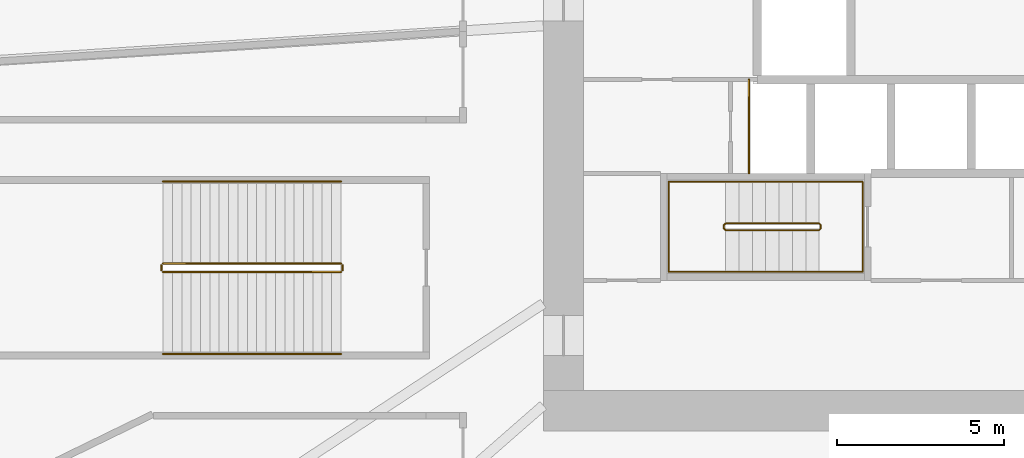
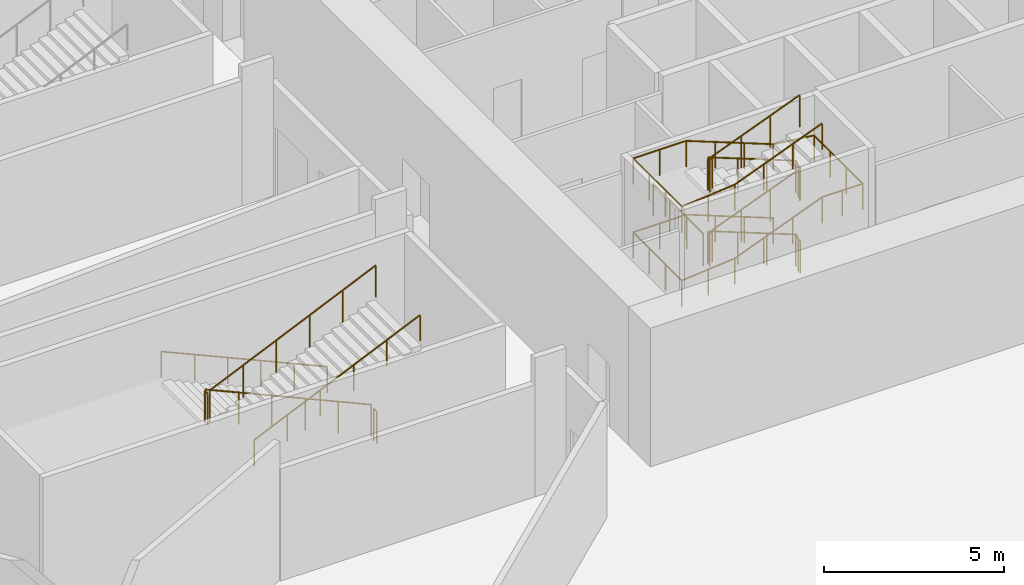
# One storey, part 13 of 16: 9 railings.
"""IFC4 building model written with IfcOpenShell, lengths in metres."""

from ifc_helpers import new_model, si_unit, direction, frame, origin, origin_2d, place, context, subcontext, project, spatial, circle, extrude, source, transform, mapped, material, type_object, element, save


model = new_model("IFC4")

# Units and contexts
model_context = context("Model", 3, precision=1e-05, world=origin(), true_north=direction((0.0, 1.0)))
body_context = subcontext(model_context, "Body", "Model", "MODEL_VIEW")
ifc_project = project(units=[si_unit("LENGTHUNIT", "METRE"), si_unit("AREAUNIT", "SQUARE_METRE"), si_unit("VOLUMEUNIT", "CUBIC_METRE"), si_unit("PLANEANGLEUNIT", "RADIAN"), si_unit("MASSUNIT", "GRAM", prefix="KILO")], contexts=[model_context])

# Site, building, storey
site_placement = place(None, origin())
site = spatial("IfcSite", under=ifc_project, at=site_placement, CompositionType="ELEMENT")
building_placement = place(site_placement, origin())
building = spatial("IfcBuilding", under=site, at=building_placement, Name="Embergate Tower", CompositionType="ELEMENT")
storey_placement = place(building_placement, frame((0.0, 0.0, 24.0)))
storey = spatial("IfcBuildingStorey", under=building, at=storey_placement, Name="L02", CompositionType="ELEMENT", Elevation=24.0)

# Railings
ifc_material_1 = material(Name="Stair guard 1100")
railing_type_1 = type_object("IfcRailingType", Name="Stair guard 1100", PredefinedType="GUARDRAIL", material=ifc_material_1)
shared_shape_1 = source(origin(), body_context, "Body", "SweptSolid", [
    extrude(circle(Radius=0.02392578125, at=origin_2d()), frame((0.0, 0.0, 1.076171875), z_axis=(0.0, 1.0, 0.0), x_axis=(-1.0, 0.0, 0.0)), (0.0, 0.0, 1.0), 0.099853515625),
    extrude(circle(Radius=0.02392578125, at=origin_2d()), frame((0.0, 0.099853515625, 1.076171875), z_axis=(-0.29177245553, 0.29177245553, 0.91089937336), x_axis=(-0.707106781187, -0.707106781187, 0.0)), (0.0, 0.0, 1.0), 0.171630859375),
    extrude(circle(Radius=0.02392578125, at=origin_2d()), frame((-0.050048828125, 0.14990234375, 1.232421875), z_axis=(-0.93145949984, 0.0, 0.363845022171), x_axis=(0.0, -1.0, 0.0)), (0.0, 0.0, 1.0), 3.006103515625),
    extrude(circle(Radius=0.02392578125, at=origin_2d()), frame((-2.85009765625, 0.14990234375, 2.326171875), z_axis=(-0.707106781187, -0.707106781187, 0.0), x_axis=(0.707106781187, -0.707106781187, 0.0)), (0.0, 0.0, 1.0), 0.07080078125),
    extrude(circle(Radius=0.02392578125, at=origin_2d()), frame((-2.900146484375, 0.099853515625, 2.326171875), z_axis=(0.0, -1.0, 0.0), x_axis=(1.0, 0.0, 0.0)), (0.0, 0.0, 1.0), 0.099853515625),
    extrude(circle(Radius=0.02392578125, at=origin_2d()), frame((-2.900146484375, 0.0, 2.326171875), z_axis=(0.29177245553, -0.29177245553, 0.91089937336), x_axis=(0.707106781187, 0.707106781187, 0.0)), (0.0, 0.0, 1.0), 0.171630859375),
    extrude(circle(Radius=0.02392578125, at=origin_2d()), frame((-2.85009765625, -0.050048828125, 2.482421875), z_axis=(0.93145949984, 0.0, 0.363845022171), x_axis=(0.0, 1.0, 0.0)), (0.0, 0.0, 1.0), 3.006103515625),
    extrude(circle(Radius=0.02392578125, at=origin_2d()), frame((-0.050048828125, -0.050048828125, 3.576171875), z_axis=(0.707106781187, 0.707106781187, 0.0), x_axis=(-0.707106781187, 0.707106781187, 0.0)), (0.0, 0.0, 1.0), 0.07080078125),
    extrude(circle(Radius=0.02392578125, at=origin_2d()), frame((0.0, 0.0, 3.576171875), z_axis=(0.0, 1.0, 0.0), x_axis=(-1.0, 0.0, 0.0)), (0.0, 0.0, 1.0), 0.099853515625),
    extrude(circle(Radius=0.02392578125, at=origin_2d()), frame((0.0, 0.099853515625, 3.576171875), z_axis=(-0.29177245553, 0.29177245553, 0.91089937336), x_axis=(-0.707106781187, -0.707106781187, 0.0)), (0.0, 0.0, 1.0), 0.171630859375),
    extrude(circle(Radius=0.02392578125, at=origin_2d()), frame((-0.050048828125, 0.14990234375, 3.732421875), z_axis=(-0.93145949984, 0.0, 0.363845022171), x_axis=(0.0, -1.0, 0.0)), (0.0, 0.0, 1.0), 3.006103515625),
    extrude(circle(Radius=0.02392578125, at=origin_2d()), frame((-2.85009765625, 0.14990234375, 4.826171875), z_axis=(-0.707106781187, -0.707106781187, 0.0), x_axis=(0.707106781187, -0.707106781187, 0.0)), (0.0, 0.0, 1.0), 0.07080078125),
    extrude(circle(Radius=0.02392578125, at=origin_2d()), frame((-2.900146484375, 0.099853515625, 4.826171875), z_axis=(0.0, -1.0, 0.0), x_axis=(1.0, 0.0, 0.0)), (0.0, 0.0, 1.0), 0.099853515625),
    extrude(circle(Radius=0.02392578125, at=origin_2d()), frame((-2.900146484375, 0.0, 4.826171875), z_axis=(0.29177245553, -0.29177245553, 0.91089937336), x_axis=(0.707106781187, 0.707106781187, 0.0)), (0.0, 0.0, 1.0), 0.171630859375),
    extrude(circle(Radius=0.02392578125, at=origin_2d()), frame((-2.85009765625, -0.050048828125, 4.982421875), z_axis=(0.93145949984, 0.0, 0.363845022171), x_axis=(0.0, 1.0, 0.0)), (0.0, 0.0, 1.0), 3.006103515625),
    extrude(circle(Radius=0.02099609375, at=origin_2d()), origin(), (0.0, 0.0, 1.0), 1.052001953125),
    extrude(circle(Radius=0.02099609375, at=origin_2d()), frame((0.0, 0.099853515625, 0.0)), (0.0, 0.0, 1.0), 1.052001953125),
    extrude(circle(Radius=0.02099609375, at=origin_2d()), frame((-0.050048828125, 0.14990234375, 0.15625)), (0.0, 0.0, 1.0), 1.052001953125),
    extrude(circle(Radius=0.02099609375, at=origin_2d()), frame((-0.9833984375, 0.14990234375, 0.520751953125)), (0.0, 0.0, 1.0), 1.052001953125),
    extrude(circle(Radius=0.02099609375, at=origin_2d()), frame((-1.916748046875, 0.14990234375, 0.885498046875)), (0.0, 0.0, 1.0), 1.052001953125),
    extrude(circle(Radius=0.02099609375, at=origin_2d()), frame((-2.85009765625, 0.14990234375, 1.25)), (0.0, 0.0, 1.0), 1.052001953125),
    extrude(circle(Radius=0.02099609375, at=origin_2d()), frame((-2.900146484375, 0.099853515625, 1.25)), (0.0, 0.0, 1.0), 1.052001953125),
    extrude(circle(Radius=0.02099609375, at=origin_2d()), frame((-2.900146484375, 0.0, 1.25)), (0.0, 0.0, 1.0), 1.052001953125),
    extrude(circle(Radius=0.02099609375, at=origin_2d()), frame((-2.85009765625, -0.050048828125, 1.40625)), (0.0, 0.0, 1.0), 1.052001953125),
    extrude(circle(Radius=0.02099609375, at=origin_2d()), frame((-1.916748046875, -0.050048828125, 1.770751953125)), (0.0, 0.0, 1.0), 1.052001953125),
    extrude(circle(Radius=0.02099609375, at=origin_2d()), frame((-0.9833984375, -0.050048828125, 2.135498046875)), (0.0, 0.0, 1.0), 1.052001953125),
    extrude(circle(Radius=0.02099609375, at=origin_2d()), frame((-0.050048828125, -0.050048828125, 2.5)), (0.0, 0.0, 1.0), 1.052001953125),
    extrude(circle(Radius=0.02099609375, at=origin_2d()), frame((0.0, 0.0, 2.5)), (0.0, 0.0, 1.0), 1.052001953125),
    extrude(circle(Radius=0.02099609375, at=origin_2d()), frame((0.0, 0.099853515625, 2.5)), (0.0, 0.0, 1.0), 1.052001953125),
    extrude(circle(Radius=0.02099609375, at=origin_2d()), frame((-0.050048828125, 0.14990234375, 2.65625)), (0.0, 0.0, 1.0), 1.052001953125),
    extrude(circle(Radius=0.02099609375, at=origin_2d()), frame((-0.9833984375, 0.14990234375, 3.020751953125)), (0.0, 0.0, 1.0), 1.052001953125),
    extrude(circle(Radius=0.02099609375, at=origin_2d()), frame((-1.916748046875, 0.14990234375, 3.385498046875)), (0.0, 0.0, 1.0), 1.052001953125),
    extrude(circle(Radius=0.02099609375, at=origin_2d()), frame((-2.85009765625, 0.14990234375, 3.75)), (0.0, 0.0, 1.0), 1.052001953125),
    extrude(circle(Radius=0.02099609375, at=origin_2d()), frame((-2.900146484375, 0.099853515625, 3.75)), (0.0, 0.0, 1.0), 1.052001953125),
    extrude(circle(Radius=0.02099609375, at=origin_2d()), frame((-2.900146484375, 0.0, 3.75)), (0.0, 0.0, 1.0), 1.052001953125),
    extrude(circle(Radius=0.02099609375, at=origin_2d()), frame((-2.85009765625, -0.050048828125, 3.90625)), (0.0, 0.0, 1.0), 1.052001953125),
    extrude(circle(Radius=0.02099609375, at=origin_2d()), frame((-1.916748046875, -0.050048828125, 4.270751953125)), (0.0, 0.0, 1.0), 1.052001953125),
    extrude(circle(Radius=0.02099609375, at=origin_2d()), frame((-0.9833984375, -0.050048828125, 4.635498046875)), (0.0, 0.0, 1.0), 1.052001953125),
    extrude(circle(Radius=0.02099609375, at=origin_2d()), frame((-0.050048828125, -0.050048828125, 5.0)), (0.0, 0.0, 1.0), 1.052001953125),
])
railing_1_placement = place(storey_placement, frame((-5.699951171875, -6.949951171875, 0.0)))
element("IfcRailing", 1, at=railing_1_placement, inside=storey, type_object=railing_type_1, Name="L02 ST3 stair guard 1", PredefinedType="GUARDRAIL", context=body_context, shape_type="MappedRepresentation", body=[
    mapped(shared_shape_1, transform((0.0, 0.0, 0.0))),
])
ifc_material_2 = material(Name="Stair handrail 900")
railing_type_2 = type_object("IfcRailingType", Name="Stair handrail 900", PredefinedType="HANDRAIL", material=ifc_material_2)
shared_shape_2 = source(origin(), body_context, "Body", "SweptSolid", [
    extrude(circle(Radius=0.02392578125, at=origin_2d()), frame((0.0, 0.0, 0.8759765625), z_axis=(-0.93145949984, 0.0, 0.363845022171), x_axis=(0.0, -1.0, 0.0)), (0.0, 0.0, 1.0), 3.006103515625),
    extrude(circle(Radius=0.02392578125, at=origin_2d()), frame((-2.800048828125, 0.0, 1.9697265625), z_axis=(-1.0, 0.0, 0.0), x_axis=(0.0, -1.0, 0.0)), (0.0, 0.0, 1.0), 1.699951171875),
    extrude(circle(Radius=0.02392578125, at=origin_2d()), frame((-4.5, 0.0, 1.9697265625), z_axis=(0.0, -1.0, 0.0), x_axis=(1.0, 0.0, 0.0)), (0.0, 0.0, 1.0), 2.699951171875),
    extrude(circle(Radius=0.02392578125, at=origin_2d()), frame((-4.5, -2.699951171875, 1.9697265625), z_axis=(0.995802448953, 0.0, 0.091528589305), x_axis=(0.0, 1.0, 0.0)), (0.0, 0.0, 1.0), 1.70703125),
    extrude(circle(Radius=0.02392578125, at=origin_2d()), frame((-2.800048828125, -2.699951171875, 2.1259765625), z_axis=(0.93145949984, 0.0, 0.363845022171), x_axis=(0.0, 1.0, 0.0)), (0.0, 0.0, 1.0), 3.006103515625),
    extrude(circle(Radius=0.02392578125, at=origin_2d()), frame((0.0, -2.699951171875, 3.2197265625), z_axis=(1.0, 0.0, 0.0), x_axis=(0.0, 1.0, 0.0)), (0.0, 0.0, 1.0), 1.300048828125),
    extrude(circle(Radius=0.02392578125, at=origin_2d()), frame((1.300048828125, -2.699951171875, 3.2197265625), z_axis=(0.0, 1.0, 0.0), x_axis=(-1.0, 0.0, 0.0)), (0.0, 0.0, 1.0), 2.699951171875),
    extrude(circle(Radius=0.02392578125, at=origin_2d()), frame((1.300048828125, 0.0, 3.2197265625), z_axis=(-0.992854764896, 0.0, 0.119329023387), x_axis=(0.0, -1.0, 0.0)), (0.0, 0.0, 1.0), 1.309326171875),
    extrude(circle(Radius=0.02392578125, at=origin_2d()), frame((0.0, 0.0, 3.3759765625), z_axis=(-0.93145949984, 0.0, 0.363845022171), x_axis=(0.0, -1.0, 0.0)), (0.0, 0.0, 1.0), 3.006103515625),
    extrude(circle(Radius=0.02392578125, at=origin_2d()), frame((-2.800048828125, 0.0, 4.4697265625), z_axis=(-1.0, 0.0, 0.0), x_axis=(0.0, -1.0, 0.0)), (0.0, 0.0, 1.0), 1.699951171875),
    extrude(circle(Radius=0.02392578125, at=origin_2d()), frame((-4.5, 0.0, 4.4697265625), z_axis=(0.0, -1.0, 0.0), x_axis=(1.0, 0.0, 0.0)), (0.0, 0.0, 1.0), 2.699951171875),
    extrude(circle(Radius=0.02392578125, at=origin_2d()), frame((-4.5, -2.699951171875, 4.4697265625), z_axis=(0.995802448953, 0.0, 0.091528589305), x_axis=(0.0, 1.0, 0.0)), (0.0, 0.0, 1.0), 1.70703125),
    extrude(circle(Radius=0.02392578125, at=origin_2d()), frame((-2.800048828125, -2.699951171875, 4.6259765625), z_axis=(0.93145949984, 0.0, 0.363845022171), x_axis=(0.0, 1.0, 0.0)), (0.0, 0.0, 1.0), 3.006103515625),
    extrude(circle(Radius=0.02099609375, at=origin_2d()), origin(), (0.0, 0.0, 1.0), 0.851806640625),
    extrude(circle(Radius=0.02099609375, at=origin_2d()), frame((-0.933349609375, 0.0, 0.364501953125)), (0.0, 0.0, 1.0), 0.851806640625),
    extrude(circle(Radius=0.02099609375, at=origin_2d()), frame((-1.86669921875, 0.0, 0.729248046875)), (0.0, 0.0, 1.0), 0.851806640625),
    extrude(circle(Radius=0.02099609375, at=origin_2d()), frame((-2.800048828125, 0.0, 1.09375)), (0.0, 0.0, 1.0), 0.851806640625),
    extrude(circle(Radius=0.02099609375, at=origin_2d()), frame((-3.64990234375, 0.0, 1.09375)), (0.0, 0.0, 1.0), 0.851806640625),
    extrude(circle(Radius=0.02099609375, at=origin_2d()), frame((-4.5, 0.0, 1.09375)), (0.0, 0.0, 1.0), 0.851806640625),
    extrude(circle(Radius=0.02099609375, at=origin_2d()), frame((-4.5, -0.89990234375, 1.09375)), (0.0, 0.0, 1.0), 0.851806640625),
    extrude(circle(Radius=0.02099609375, at=origin_2d()), frame((-4.5, -1.800048828125, 1.09375)), (0.0, 0.0, 1.0), 0.851806640625),
    extrude(circle(Radius=0.02099609375, at=origin_2d()), frame((-4.5, -2.699951171875, 1.09375)), (0.0, 0.0, 1.0), 0.851806640625),
    extrude(circle(Radius=0.02099609375, at=origin_2d()), frame((-3.64990234375, -2.699951171875, 1.171875)), (0.0, 0.0, 1.0), 0.851806640625),
    extrude(circle(Radius=0.02099609375, at=origin_2d()), frame((-2.800048828125, -2.699951171875, 1.25)), (0.0, 0.0, 1.0), 0.851806640625),
    extrude(circle(Radius=0.02099609375, at=origin_2d()), frame((-1.86669921875, -2.699951171875, 1.614501953125)), (0.0, 0.0, 1.0), 0.851806640625),
    extrude(circle(Radius=0.02099609375, at=origin_2d()), frame((-0.933349609375, -2.699951171875, 1.979248046875)), (0.0, 0.0, 1.0), 0.851806640625),
    extrude(circle(Radius=0.02099609375, at=origin_2d()), frame((0.0, -2.699951171875, 2.34375)), (0.0, 0.0, 1.0), 0.851806640625),
    extrude(circle(Radius=0.02099609375, at=origin_2d()), frame((0.64990234375, -2.699951171875, 2.34375)), (0.0, 0.0, 1.0), 0.851806640625),
    extrude(circle(Radius=0.02099609375, at=origin_2d()), frame((1.300048828125, -2.699951171875, 2.34375)), (0.0, 0.0, 1.0), 0.851806640625),
    extrude(circle(Radius=0.02099609375, at=origin_2d()), frame((1.300048828125, -1.800048828125, 2.34375)), (0.0, 0.0, 1.0), 0.851806640625),
    extrude(circle(Radius=0.02099609375, at=origin_2d()), frame((1.300048828125, -0.89990234375, 2.34375)), (0.0, 0.0, 1.0), 0.851806640625),
    extrude(circle(Radius=0.02099609375, at=origin_2d()), frame((1.300048828125, 0.0, 2.34375)), (0.0, 0.0, 1.0), 0.851806640625),
    extrude(circle(Radius=0.02099609375, at=origin_2d()), frame((0.64990234375, 0.0, 2.421875)), (0.0, 0.0, 1.0), 0.851806640625),
    extrude(circle(Radius=0.02099609375, at=origin_2d()), frame((0.0, 0.0, 2.5)), (0.0, 0.0, 1.0), 0.851806640625),
    extrude(circle(Radius=0.02099609375, at=origin_2d()), frame((-0.933349609375, 0.0, 2.864501953125)), (0.0, 0.0, 1.0), 0.851806640625),
    extrude(circle(Radius=0.02099609375, at=origin_2d()), frame((-1.86669921875, 0.0, 3.229248046875)), (0.0, 0.0, 1.0), 0.851806640625),
    extrude(circle(Radius=0.02099609375, at=origin_2d()), frame((-2.800048828125, 0.0, 3.59375)), (0.0, 0.0, 1.0), 0.851806640625),
    extrude(circle(Radius=0.02099609375, at=origin_2d()), frame((-3.64990234375, 0.0, 3.59375)), (0.0, 0.0, 1.0), 0.851806640625),
    extrude(circle(Radius=0.02099609375, at=origin_2d()), frame((-4.5, 0.0, 3.59375)), (0.0, 0.0, 1.0), 0.851806640625),
    extrude(circle(Radius=0.02099609375, at=origin_2d()), frame((-4.5, -0.89990234375, 3.59375)), (0.0, 0.0, 1.0), 0.851806640625),
    extrude(circle(Radius=0.02099609375, at=origin_2d()), frame((-4.5, -1.800048828125, 3.59375)), (0.0, 0.0, 1.0), 0.851806640625),
    extrude(circle(Radius=0.02099609375, at=origin_2d()), frame((-4.5, -2.699951171875, 3.59375)), (0.0, 0.0, 1.0), 0.851806640625),
    extrude(circle(Radius=0.02099609375, at=origin_2d()), frame((-3.64990234375, -2.699951171875, 3.671875)), (0.0, 0.0, 1.0), 0.851806640625),
    extrude(circle(Radius=0.02099609375, at=origin_2d()), frame((-2.800048828125, -2.699951171875, 3.75)), (0.0, 0.0, 1.0), 0.851806640625),
    extrude(circle(Radius=0.02099609375, at=origin_2d()), frame((-1.86669921875, -2.699951171875, 4.114501953125)), (0.0, 0.0, 1.0), 0.851806640625),
    extrude(circle(Radius=0.02099609375, at=origin_2d()), frame((-0.933349609375, -2.699951171875, 4.479248046875)), (0.0, 0.0, 1.0), 0.851806640625),
    extrude(circle(Radius=0.02099609375, at=origin_2d()), frame((0.0, -2.699951171875, 4.84375)), (0.0, 0.0, 1.0), 0.851806640625),
])
railing_2_placement = place(storey_placement, frame((-5.75, -5.550048828125, 0.15625)))
element("IfcRailing", 2, at=railing_2_placement, inside=storey, type_object=railing_type_2, Name="L02 ST3 stair handrail 1", PredefinedType="HANDRAIL", context=body_context, shape_type="MappedRepresentation", body=[
    mapped(shared_shape_2, transform((0.0, 0.0, 0.0))),
])
ifc_material_3 = material(Name="Opening guard 1100")
railing_type_3 = type_object("IfcRailingType", Name="Opening guard 1100", PredefinedType="GUARDRAIL", material=ifc_material_3)
shared_shape_3 = source(origin(), body_context, "Body", "SweptSolid", [
    extrude(circle(Radius=0.02392578125, at=origin_2d()), frame((0.0, 0.0, 1.076171875), z_axis=(0.0, 1.0, 0.0), x_axis=(-1.0, 0.0, 0.0)), (0.0, 0.0, 1.0), 2.800048828125),
    extrude(circle(Radius=0.02099609375, at=origin_2d()), origin(), (0.0, 0.0, 1.0), 1.052001953125),
    extrude(circle(Radius=0.02099609375, at=origin_2d()), frame((0.0, 0.933349609375, 0.0)), (0.0, 0.0, 1.0), 1.052001953125),
    extrude(circle(Radius=0.02099609375, at=origin_2d()), frame((0.0, 1.86669921875, 0.0)), (0.0, 0.0, 1.0), 1.052001953125),
    extrude(circle(Radius=0.02099609375, at=origin_2d()), frame((0.0, 2.800048828125, 0.0)), (0.0, 0.0, 1.0), 1.052001953125),
])
railing_3_placement = place(storey_placement, frame((-7.85009765625, -5.300048828125, 0.0)))
element("IfcRailing", 3, at=railing_3_placement, inside=storey, type_object=railing_type_3, Name="Riser opening guard", PredefinedType="GUARDRAIL", context=body_context, shape_type="MappedRepresentation", body=[
    mapped(shared_shape_3, transform((0.0, 0.0, 0.0))),
])
ifc_material_4 = material(Name="Steel", Category="steel")
railing_type_4 = type_object("IfcRailingType", Name="Podium stair guard 1100", PredefinedType="GUARDRAIL", material=ifc_material_4)
shared_shape_4 = source(origin(), body_context, "Body", "SweptSolid", [
    extrude(circle(Radius=0.02392578125, at=origin_2d()), frame((0.0, 0.0, 1.076171875), z_axis=(0.913139832249, 0.0, 0.407646472769), x_axis=(0.0, 1.0, 0.0)), (0.0, 0.0, 1.0), 5.826171875),
    extrude(circle(Radius=0.02099609375, at=origin_2d()), origin(), (0.0, 0.0, 1.0), 1.052001953125),
    extrude(circle(Radius=0.02099609375, at=origin_2d()), frame((1.06396484375, 0.0, 0.47509765625)), (0.0, 0.0, 1.0), 1.052001953125),
    extrude(circle(Radius=0.02099609375, at=origin_2d()), frame((2.1279296875, 0.0, 0.949951171875)), (0.0, 0.0, 1.0), 1.052001953125),
    extrude(circle(Radius=0.02099609375, at=origin_2d()), frame((3.192138671875, 0.0, 1.425048828125)), (0.0, 0.0, 1.0), 1.052001953125),
    extrude(circle(Radius=0.02099609375, at=origin_2d()), frame((4.256103515625, 0.0, 1.89990234375)), (0.0, 0.0, 1.0), 1.052001953125),
    extrude(circle(Radius=0.02099609375, at=origin_2d()), frame((5.320068359375, 0.0, 2.375)), (0.0, 0.0, 1.0), 1.052001953125),
])
railing_4_placement = place(storey_placement, frame((-25.3701171875, -8.25, 2.625)))
element("IfcRailing", 4, at=railing_4_placement, inside=storey, type_object=railing_type_4, Name="L02 P4 stair guard 3", PredefinedType="GUARDRAIL", context=body_context, shape_type="MappedRepresentation", body=[
    mapped(shared_shape_4, transform((0.0, 0.0, 0.0))),
])
shared_shape_5 = source(origin(), body_context, "Body", "SweptSolid", [
    extrude(circle(Radius=0.02392578125, at=origin_2d()), frame((0.0, 0.0, 1.076171875), z_axis=(-0.913139832249, 0.0, 0.407646472769), x_axis=(0.0, -1.0, 0.0)), (0.0, 0.0, 1.0), 5.826171875),
    extrude(circle(Radius=0.02099609375, at=origin_2d()), origin(), (0.0, 0.0, 1.0), 1.052001953125),
    extrude(circle(Radius=0.02099609375, at=origin_2d()), frame((-1.06396484375, 0.0, 0.47509765625)), (0.0, 0.0, 1.0), 1.052001953125),
    extrude(circle(Radius=0.02099609375, at=origin_2d()), frame((-2.1279296875, 0.0, 0.949951171875)), (0.0, 0.0, 1.0), 1.052001953125),
    extrude(circle(Radius=0.02099609375, at=origin_2d()), frame((-3.192138671875, 0.0, 1.425048828125)), (0.0, 0.0, 1.0), 1.052001953125),
    extrude(circle(Radius=0.02099609375, at=origin_2d()), frame((-4.256103515625, 0.0, 1.89990234375)), (0.0, 0.0, 1.0), 1.052001953125),
    extrude(circle(Radius=0.02099609375, at=origin_2d()), frame((-5.320068359375, 0.0, 2.375)), (0.0, 0.0, 1.0), 1.052001953125),
])
railing_5_placement = place(storey_placement, frame((-20.050048828125, -8.0, 0.125)))
element("IfcRailing", 5, at=railing_5_placement, inside=storey, type_object=railing_type_4, Name="L02 P4 stair guard 1", PredefinedType="GUARDRAIL", context=body_context, shape_type="MappedRepresentation", body=[
    mapped(shared_shape_5, transform((0.0, 0.0, 0.0))),
])
railing_type_5 = type_object("IfcRailingType", Name="Podium stair handrail 900", PredefinedType="HANDRAIL", material=ifc_material_4)
shared_shape_6 = source(origin(), body_context, "Body", "SweptSolid", [
    extrude(circle(Radius=0.02392578125, at=origin_2d()), frame((0.0, 0.0, 0.8759765625), z_axis=(0.913139832249, 0.0, 0.407646472769), x_axis=(0.0, 1.0, 0.0)), (0.0, 0.0, 1.0), 5.826171875),
    extrude(circle(Radius=0.02099609375, at=origin_2d()), origin(), (0.0, 0.0, 1.0), 0.851806640625),
    extrude(circle(Radius=0.02099609375, at=origin_2d()), frame((1.06396484375, 0.0, 0.47509765625)), (0.0, 0.0, 1.0), 0.851806640625),
    extrude(circle(Radius=0.02099609375, at=origin_2d()), frame((2.1279296875, 0.0, 0.949951171875)), (0.0, 0.0, 1.0), 0.851806640625),
    extrude(circle(Radius=0.02099609375, at=origin_2d()), frame((3.192138671875, 0.0, 1.425048828125)), (0.0, 0.0, 1.0), 0.851806640625),
    extrude(circle(Radius=0.02099609375, at=origin_2d()), frame((4.256103515625, 0.0, 1.89990234375)), (0.0, 0.0, 1.0), 0.851806640625),
    extrude(circle(Radius=0.02099609375, at=origin_2d()), frame((5.320068359375, 0.0, 2.375)), (0.0, 0.0, 1.0), 0.851806640625),
])
railing_6_placement = place(storey_placement, frame((-25.3701171875, -10.699951171875, 2.625)))
element("IfcRailing", 6, at=railing_6_placement, inside=storey, type_object=railing_type_5, Name="L02 P4 stair handrail 2", PredefinedType="HANDRAIL", context=body_context, shape_type="MappedRepresentation", body=[
    mapped(shared_shape_6, transform((0.0, 0.0, 0.0))),
])
shared_shape_7 = source(origin(), body_context, "Body", "SweptSolid", [
    extrude(circle(Radius=0.02392578125, at=origin_2d()), frame((0.0, 0.0, 0.8759765625), z_axis=(-0.913139832249, 0.0, 0.407646472769), x_axis=(0.0, -1.0, 0.0)), (0.0, 0.0, 1.0), 5.826171875),
    extrude(circle(Radius=0.02099609375, at=origin_2d()), origin(), (0.0, 0.0, 1.0), 0.851806640625),
    extrude(circle(Radius=0.02099609375, at=origin_2d()), frame((-1.06396484375, 0.0, 0.47509765625)), (0.0, 0.0, 1.0), 0.851806640625),
    extrude(circle(Radius=0.02099609375, at=origin_2d()), frame((-2.1279296875, 0.0, 0.949951171875)), (0.0, 0.0, 1.0), 0.851806640625),
    extrude(circle(Radius=0.02099609375, at=origin_2d()), frame((-3.192138671875, 0.0, 1.425048828125)), (0.0, 0.0, 1.0), 0.851806640625),
    extrude(circle(Radius=0.02099609375, at=origin_2d()), frame((-4.256103515625, 0.0, 1.89990234375)), (0.0, 0.0, 1.0), 0.851806640625),
    extrude(circle(Radius=0.02099609375, at=origin_2d()), frame((-5.320068359375, 0.0, 2.375)), (0.0, 0.0, 1.0), 0.851806640625),
])
railing_7_placement = place(storey_placement, frame((-20.050048828125, -5.550048828125, 0.125)))
element("IfcRailing", 7, at=railing_7_placement, inside=storey, type_object=railing_type_5, Name="L02 P4 stair handrail 1", PredefinedType="HANDRAIL", context=body_context, shape_type="MappedRepresentation", body=[
    mapped(shared_shape_7, transform((0.0, 0.0, 0.0))),
])
shared_shape_8 = source(origin(), body_context, "Body", "SweptSolid", [
    extrude(circle(Radius=0.02392578125, at=origin_2d()), frame((0.0, 0.0, 1.076171875), z_axis=(0.0, -1.0, 0.0), x_axis=(1.0, 0.0, 0.0)), (0.0, 0.0, 1.0), 0.14990234375),
    extrude(circle(Radius=0.02099609375, at=origin_2d()), origin(), (0.0, 0.0, 1.0), 1.052001953125),
    extrude(circle(Radius=0.02099609375, at=origin_2d()), frame((0.0, -0.14990234375, 0.0)), (0.0, 0.0, 1.0), 1.052001953125),
])
for number, where, name in (
    (8, (-25.419921875, -8.050048828125, 2.5), "L02 P4 stair guard 2"),
    (9, (-20.0, -8.050048828125, 0.0), "L02 P4 stair guard 4"),
):
    element("IfcRailing", number, at=place(storey_placement, frame(where)), inside=storey, type_object=railing_type_4, Name=name, PredefinedType="GUARDRAIL", context=body_context, shape_type="MappedRepresentation", body=[
        mapped(shared_shape_8, transform((0.0, 0.0, 0.0))),
    ])

save(model, "model.ifc")
